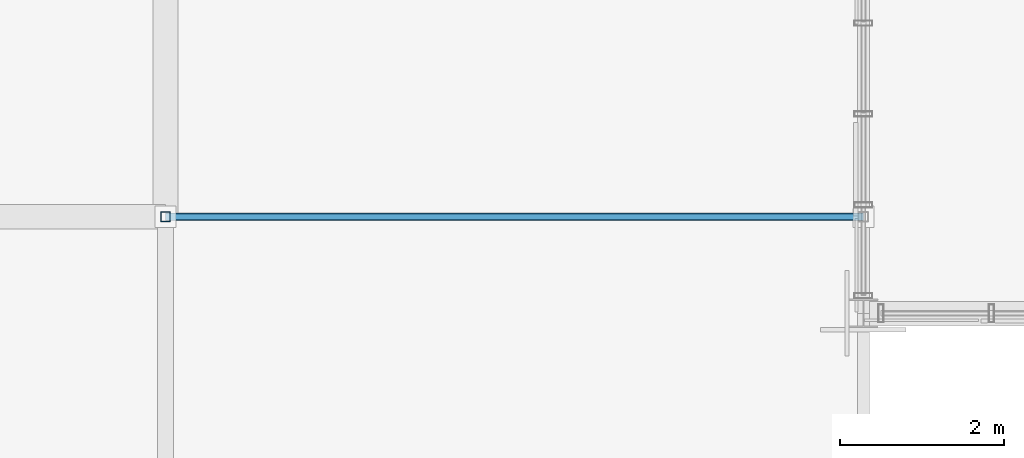
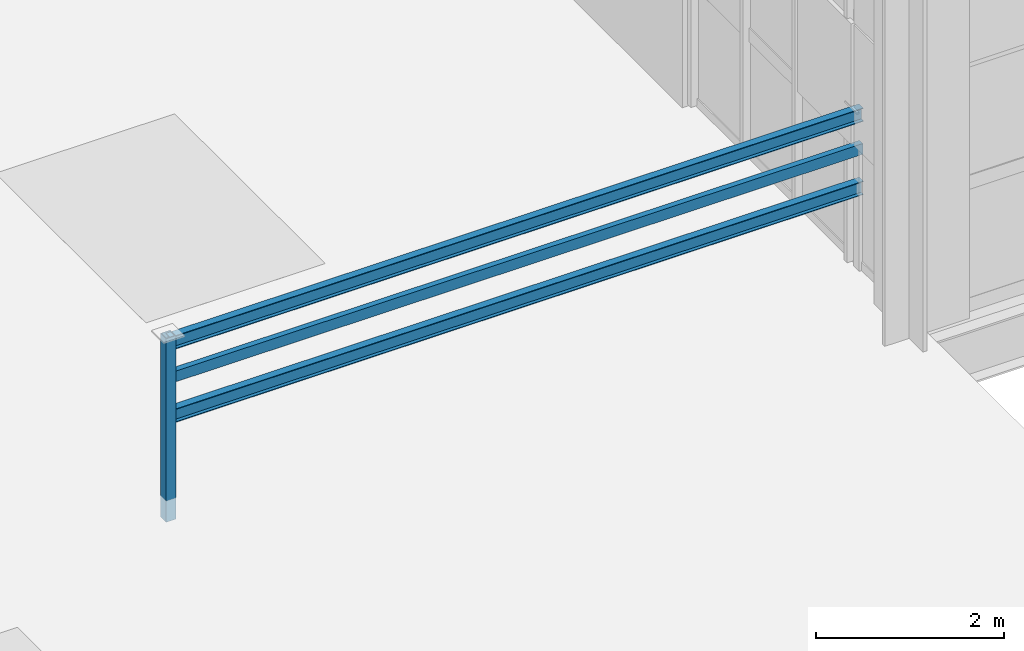
# One storey, part 6 of 35: 4 members.
"""IFC4 building model written with IfcOpenShell, lengths in metres."""

from ifc_helpers import new_model, si_unit, direction, frame, origin, origin_2d, place, context, subcontext, project, spatial, hollow_rectangle, i_section, extrude, material, material_profile, profile_set, type_object, element, save


model = new_model("IFC4")

# Units and contexts
model_context = context("Model", 3, precision=1e-05, world=origin(), true_north=direction((0.0, 1.0)))
body_context = subcontext(model_context, "Body", "Model", "MODEL_VIEW")
ifc_project = project(units=[si_unit("LENGTHUNIT", "METRE"), si_unit("AREAUNIT", "SQUARE_METRE"), si_unit("VOLUMEUNIT", "CUBIC_METRE"), si_unit("PLANEANGLEUNIT", "RADIAN"), si_unit("MASSUNIT", "GRAM", prefix="KILO")], contexts=[model_context])

# Site, building, storey
site_placement = place(None, origin())
site = spatial("IfcSite", under=ifc_project, at=site_placement, CompositionType="ELEMENT")
building_placement = place(site_placement, origin())
building = spatial("IfcBuilding", under=site, at=building_placement, Name="Solvikara Media Centre", CompositionType="ELEMENT")
storey_placement = place(building_placement, frame((0.0, 0.0, 29.39990234375)))
storey = spatial("IfcBuildingStorey", under=building, at=storey_placement, Name="L06", CompositionType="ELEMENT", Elevation=29.39990234375)

# Members
ifc_material = material(Name="Steel S355JR", Category="steel")
ifc_material_profile_1 = material_profile(ifc_material, hollow_rectangle(XDim=0.070068359375, YDim=0.139892578125, WallThickness=0.0048828125, at=origin_2d()), Name="RHS 140x70x5")
ifc_profile_set_1 = profile_set([ifc_material_profile_1], Name="Steel S355JR")
member_type_1 = type_object("IfcMemberType", Name="MB-20", PredefinedType="PURLIN", material=ifc_profile_set_1)
member_1_placement = place(storey_placement, frame((59.5, 20.5, 1.550048828125), z_axis=(1.0, 0.0, 0.0), x_axis=(0.0, 1.0, 0.0)))
element("IfcMember", 1, at=member_1_placement, inside=storey, type_object=member_type_1, Name="PS-PRL-4", PredefinedType="PURLIN", context=body_context, shape_type="SweptSolid", body=[
    extrude(hollow_rectangle(XDim=0.070068359375, YDim=0.139892578125, WallThickness=0.0048828125, at=origin_2d()), origin(), (0.0, 0.0, 1.0), 8.5),
])
ifc_material_profile_2 = material_profile(ifc_material, i_section(OverallWidth=0.090087890625, OverallDepth=0.175048828125, WebThickness=0.0048828125, FlangeThickness=0.008056640625, at=origin_2d()), Name="WF 175x90x5x8")
ifc_profile_set_2 = profile_set([ifc_material_profile_2], Name="Steel S355JR")
member_type_2 = type_object("IfcMemberType", Name="MB-22", PredefinedType="PURLIN", material=ifc_profile_set_2)
for number, where, z_axis, x_axis, name in (
    (2, (59.5, 20.5, 1.050048828125), (1.0, 0.0, 0.0), (0.0, 1.0, 0.0), "PS-RAIL-M4"),
    (3, (59.5, 20.5, 2.0), (1.0, 0.0, 0.0), (0.0, 1.0, 0.0), "PS-RAIL-T4"),
):
    element("IfcMember", number, at=place(storey_placement, frame(where, z_axis=z_axis, x_axis=x_axis)), inside=storey, type_object=member_type_2, Name=name, PredefinedType="PURLIN", context=body_context, shape_type="SweptSolid", body=[
        extrude(i_section(OverallWidth=0.090087890625, OverallDepth=0.175048828125, WebThickness=0.0048828125, FlangeThickness=0.008056640625, at=origin_2d()), origin(), (0.0, 0.0, 1.0), 8.5),
    ])
ifc_material_profile_3 = material_profile(ifc_material, hollow_rectangle(XDim=0.1201171875, YDim=0.1201171875, WallThickness=0.006103515625, at=origin_2d()), Name="RHS 120x120x6")
ifc_profile_set_3 = profile_set([ifc_material_profile_3], Name="Steel S355JR")
member_type_3 = type_object("IfcMemberType", Name="MB-24", PredefinedType="POST", material=ifc_profile_set_3)
member_2_placement = place(storey_placement, frame((59.5, 20.5, -0.27978515625), z_axis=(0.0, 0.0, 1.0), x_axis=(1.0, 0.0, 0.0)))
element("IfcMember", 4, at=member_2_placement, inside=storey, type_object=member_type_3, Name="PS-POST-A4", PredefinedType="POST", context=body_context, shape_type="SweptSolid", body=[
    extrude(hollow_rectangle(XDim=0.1201171875, YDim=0.1201171875, WallThickness=0.006103515625, at=origin_2d()), origin(), (0.0, 0.0, 1.0), 2.3798828125),
])

save(model, "model.ifc")
